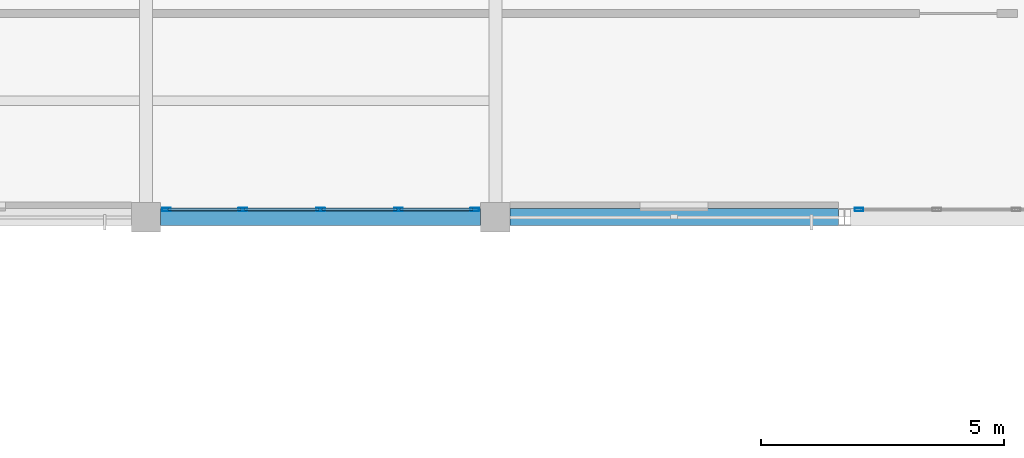
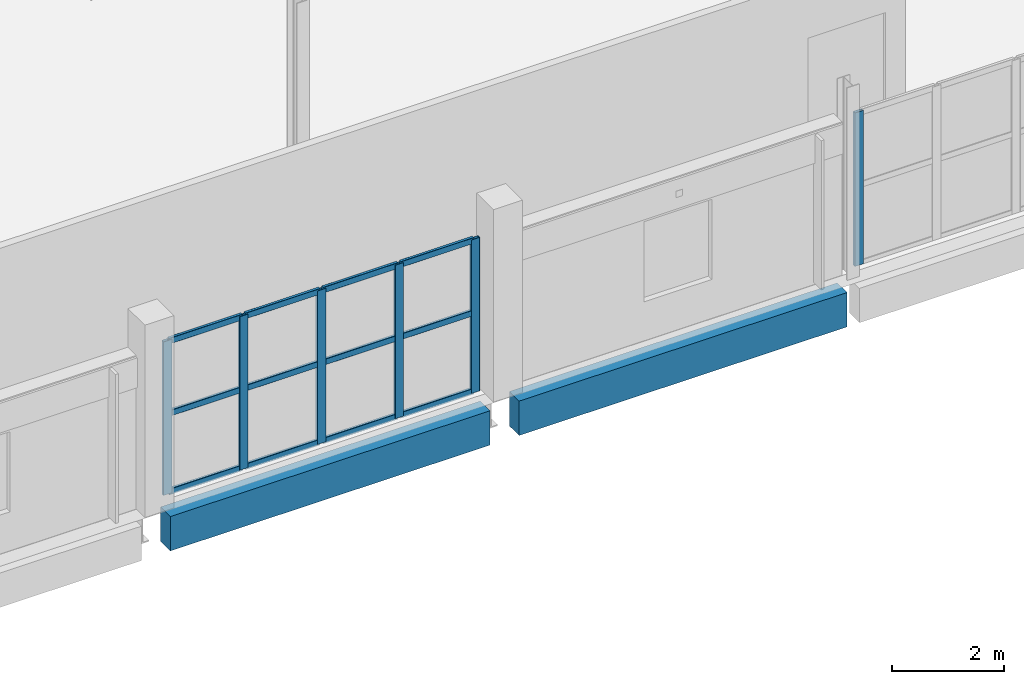
# One storey, part 42 of 94: 18 members, 2 beams, 2 elements without a shape of their own.
"""IFC4 building model written with IfcOpenShell, lengths in metres."""

from ifc_helpers import new_model, si_unit, direction, frame, origin, origin_2d, place, context, subcontext, project, spatial, rectangle, hollow_rectangle, extrude, material, material_profile, profile_set, type_object, element, aggregate, save


model = new_model("IFC4")

# Units and contexts
model_context = context("Model", 3, precision=1e-05, world=origin(), true_north=direction((0.0, 1.0)))
body_context = subcontext(model_context, "Body", "Model", "MODEL_VIEW")
ifc_project = project(units=[si_unit("LENGTHUNIT", "METRE"), si_unit("AREAUNIT", "SQUARE_METRE"), si_unit("VOLUMEUNIT", "CUBIC_METRE"), si_unit("PLANEANGLEUNIT", "RADIAN"), si_unit("MASSUNIT", "GRAM", prefix="KILO")], contexts=[model_context])

# Site, building, storey
site_placement = place(None, origin())
site = spatial("IfcSite", under=ifc_project, at=site_placement, CompositionType="ELEMENT")
building_placement = place(site_placement, origin())
building = spatial("IfcBuilding", under=site, at=building_placement, Name="Kalmorath City Hall", CompositionType="ELEMENT")
storey_placement = place(building_placement, frame((0.0, 0.0, 14.699951171875)))
storey = spatial("IfcBuildingStorey", under=building, at=storey_placement, Name="L03", CompositionType="ELEMENT", Elevation=14.699951171875)

# Curtain wall, member
ifc_material_1 = material(Name="Anodised aluminium and laminated glass", Category="aluminium")
curtain_wall_type_1 = type_object("IfcCurtainWallType", Name="Unitised hurricane curtain wall 6544x3352 M1750", PredefinedType="NOTDEFINED", material=ifc_material_1)
curtain_wall_1_placement = place(storey_placement, origin())
curtain_wall_1 = element("IfcCurtainWall", 1, at=curtain_wall_1_placement, inside=storey, type_object=curtain_wall_type_1, Name="L03 curtain wall CW-65X34M18 #149", PredefinedType="NOTDEFINED")
ifc_material_2 = material(Name="Anodised aluminium framing", Category="aluminium")
ifc_material_profile_1 = material_profile(ifc_material_2, hollow_rectangle(XDim=0.06494140625, YDim=0.179931640625, WallThickness=0.00390625, InnerFilletRadius=0.00390625, OuterFilletRadius=0.008056640625, at=origin_2d()), Name="ALU-MUL-180X65X4")
ifc_profile_set_1 = profile_set([ifc_material_profile_1], Name="Anodised aluminium framing")
member_type_1 = type_object("IfcMemberType", Name="Curtain-wall courtyard mullion 180x65", PredefinedType="MULLION", material=ifc_profile_set_1)
member_1_placement = place(storey_placement, frame((50.698974609375, 93.760009765625, 0.0), z_axis=(0.0, 0.0, 1.0), x_axis=(0.0, -1.0, 0.0)))
member_1 = element("IfcMember", 2, at=member_1_placement, type_object=member_type_1, Name="CW-65X34M18 mullion 5", PredefinedType="MULLION", context=body_context, shape_type="SweptSolid", body=[
    extrude(hollow_rectangle(XDim=0.06494140625, YDim=0.179931640625, WallThickness=0.00390625, InnerFilletRadius=0.00390625, OuterFilletRadius=0.008056640625, at=origin_2d()), origin(), (0.0, 0.0, 1.0), 3.35205078125),
])
aggregate(curtain_wall_1, [member_1])

# Curtain wall, members
ifc_material_3 = material(Name="Anodised aluminium and laminated glass", Category="aluminium")
curtain_wall_type_2 = type_object("IfcCurtainWallType", Name="Unitised hurricane curtain wall 6420x3352 M1750", PredefinedType="NOTDEFINED", material=ifc_material_3)
curtain_wall_2_placement = place(storey_placement, origin())
curtain_wall_2 = element("IfcCurtainWall", 3, at=curtain_wall_2_placement, inside=storey, type_object=curtain_wall_type_2, Name="L03 curtain wall CW-64X34M18 #150", PredefinedType="NOTDEFINED")
member_2_placement = place(storey_placement, frame((42.777587890625, 93.760009765625, 0.0), z_axis=(0.0, 0.0, 1.0), x_axis=(0.0, -1.0, 0.0)))
member_2 = element("IfcMember", 4, at=member_2_placement, type_object=member_type_1, Name="CW-64X34M18 mullion 1", PredefinedType="MULLION", context=body_context, shape_type="SweptSolid", body=[
    extrude(hollow_rectangle(XDim=0.06494140625, YDim=0.179931640625, WallThickness=0.00390625, InnerFilletRadius=0.00390625, OuterFilletRadius=0.008056640625, at=origin_2d()), origin(), (0.0, 0.0, 1.0), 3.35205078125),
])
member_3_placement = place(storey_placement, frame((41.205078125, 93.760009765625, 0.0), z_axis=(0.0, 0.0, 1.0), x_axis=(0.0, -1.0, 0.0)))
member_3 = element("IfcMember", 5, at=member_3_placement, type_object=member_type_1, Name="CW-64X34M18 mullion 2", PredefinedType="MULLION", context=body_context, shape_type="SweptSolid", body=[
    extrude(hollow_rectangle(XDim=0.06494140625, YDim=0.179931640625, WallThickness=0.00390625, InnerFilletRadius=0.00390625, OuterFilletRadius=0.008056640625, at=origin_2d()), origin(), (0.0, 0.0, 1.0), 3.35205078125),
])
member_4_placement = place(storey_placement, frame((39.60009765625, 93.760009765625, 0.0), z_axis=(0.0, 0.0, 1.0), x_axis=(0.0, -1.0, 0.0)))
member_4 = element("IfcMember", 6, at=member_4_placement, type_object=member_type_1, Name="CW-64X34M18 mullion 3", PredefinedType="MULLION", context=body_context, shape_type="SweptSolid", body=[
    extrude(hollow_rectangle(XDim=0.06494140625, YDim=0.179931640625, WallThickness=0.00390625, InnerFilletRadius=0.00390625, OuterFilletRadius=0.008056640625, at=origin_2d()), origin(), (0.0, 0.0, 1.0), 3.35205078125),
])
member_5_placement = place(storey_placement, frame((37.9951171875, 93.760009765625, 0.0), z_axis=(0.0, 0.0, 1.0), x_axis=(0.0, -1.0, 0.0)))
member_5 = element("IfcMember", 7, at=member_5_placement, type_object=member_type_1, Name="CW-64X34M18 mullion 4", PredefinedType="MULLION", context=body_context, shape_type="SweptSolid", body=[
    extrude(hollow_rectangle(XDim=0.06494140625, YDim=0.179931640625, WallThickness=0.00390625, InnerFilletRadius=0.00390625, OuterFilletRadius=0.008056640625, at=origin_2d()), origin(), (0.0, 0.0, 1.0), 3.35205078125),
])
member_6_placement = place(storey_placement, frame((36.422607421875, 93.760009765625, 0.0), z_axis=(0.0, 0.0, 1.0), x_axis=(0.0, -1.0, 0.0)))
member_6 = element("IfcMember", 8, at=member_6_placement, type_object=member_type_1, Name="CW-64X34M18 mullion 5", PredefinedType="MULLION", context=body_context, shape_type="SweptSolid", body=[
    extrude(hollow_rectangle(XDim=0.06494140625, YDim=0.179931640625, WallThickness=0.00390625, InnerFilletRadius=0.00390625, OuterFilletRadius=0.008056640625, at=origin_2d()), origin(), (0.0, 0.0, 1.0), 3.35205078125),
])
ifc_material_4 = material(Name="Anodised aluminium framing", Category="aluminium")
ifc_material_profile_2 = material_profile(ifc_material_4, hollow_rectangle(XDim=0.06005859375, YDim=0.1298828125, WallThickness=0.00341796875, InnerFilletRadius=0.00341796875, OuterFilletRadius=0.007080078125, at=origin_2d()), Name="ALU-TRN-130X60X3.5")
ifc_profile_set_2 = profile_set([ifc_material_profile_2], Name="Anodised aluminium framing")
member_type_2 = type_object("IfcMemberType", Name="Curtain-wall courtyard transom 130x60", PredefinedType="USERDEFINED", material=ifc_profile_set_2)
member_7_placement = place(storey_placement, frame((42.7451171875, 93.760009765625, 0.030029296875), z_axis=(-1.0, 0.0, 0.0), x_axis=(0.0, -1.0, 0.0)))
member_7 = element("IfcMember", 9, at=member_7_placement, type_object=member_type_2, Name="CW-64X34M18 transom 1.1", ObjectType="TRANSOM", PredefinedType="USERDEFINED", context=body_context, shape_type="SweptSolid", body=[
    extrude(hollow_rectangle(XDim=0.06005859375, YDim=0.1298828125, WallThickness=0.00341796875, InnerFilletRadius=0.00341796875, OuterFilletRadius=0.007080078125, at=origin_2d()), origin(), (0.0, 0.0, 1.0), 1.507568359375),
])
member_8_placement = place(storey_placement, frame((42.7451171875, 93.760009765625, 1.7431640625), z_axis=(-1.0, 0.0, 0.0), x_axis=(0.0, -1.0, 0.0)))
member_8 = element("IfcMember", 10, at=member_8_placement, type_object=member_type_2, Name="CW-64X34M18 transom 1.2", ObjectType="TRANSOM", PredefinedType="USERDEFINED", context=body_context, shape_type="SweptSolid", body=[
    extrude(hollow_rectangle(XDim=0.06005859375, YDim=0.1298828125, WallThickness=0.00341796875, InnerFilletRadius=0.00341796875, OuterFilletRadius=0.007080078125, at=origin_2d()), origin(), (0.0, 0.0, 1.0), 1.507568359375),
])
member_9_placement = place(storey_placement, frame((42.7451171875, 93.760009765625, 3.322021484375), z_axis=(-1.0, 0.0, 0.0), x_axis=(0.0, -1.0, 0.0)))
member_9 = element("IfcMember", 11, at=member_9_placement, type_object=member_type_2, Name="CW-64X34M18 transom 1.3", ObjectType="TRANSOM", PredefinedType="USERDEFINED", context=body_context, shape_type="SweptSolid", body=[
    extrude(hollow_rectangle(XDim=0.06005859375, YDim=0.1298828125, WallThickness=0.00341796875, InnerFilletRadius=0.00341796875, OuterFilletRadius=0.007080078125, at=origin_2d()), origin(), (0.0, 0.0, 1.0), 1.507568359375),
])
member_10_placement = place(storey_placement, frame((41.172607421875, 93.760009765625, 0.030029296875), z_axis=(-1.0, 0.0, 0.0), x_axis=(0.0, -1.0, 0.0)))
member_10 = element("IfcMember", 12, at=member_10_placement, type_object=member_type_2, Name="CW-64X34M18 transom 2.1", ObjectType="TRANSOM", PredefinedType="USERDEFINED", context=body_context, shape_type="SweptSolid", body=[
    extrude(hollow_rectangle(XDim=0.06005859375, YDim=0.1298828125, WallThickness=0.00341796875, InnerFilletRadius=0.00341796875, OuterFilletRadius=0.007080078125, at=origin_2d()), origin(), (0.0, 0.0, 1.0), 1.5400390625),
])
member_11_placement = place(storey_placement, frame((41.172607421875, 93.760009765625, 1.7431640625), z_axis=(-1.0, 0.0, 0.0), x_axis=(0.0, -1.0, 0.0)))
member_11 = element("IfcMember", 13, at=member_11_placement, type_object=member_type_2, Name="CW-64X34M18 transom 2.2", ObjectType="TRANSOM", PredefinedType="USERDEFINED", context=body_context, shape_type="SweptSolid", body=[
    extrude(hollow_rectangle(XDim=0.06005859375, YDim=0.1298828125, WallThickness=0.00341796875, InnerFilletRadius=0.00341796875, OuterFilletRadius=0.007080078125, at=origin_2d()), origin(), (0.0, 0.0, 1.0), 1.5400390625),
])
member_12_placement = place(storey_placement, frame((41.172607421875, 93.760009765625, 3.322021484375), z_axis=(-1.0, 0.0, 0.0), x_axis=(0.0, -1.0, 0.0)))
member_12 = element("IfcMember", 14, at=member_12_placement, type_object=member_type_2, Name="CW-64X34M18 transom 2.3", ObjectType="TRANSOM", PredefinedType="USERDEFINED", context=body_context, shape_type="SweptSolid", body=[
    extrude(hollow_rectangle(XDim=0.06005859375, YDim=0.1298828125, WallThickness=0.00341796875, InnerFilletRadius=0.00341796875, OuterFilletRadius=0.007080078125, at=origin_2d()), origin(), (0.0, 0.0, 1.0), 1.5400390625),
])
member_13_placement = place(storey_placement, frame((39.5673828125, 93.760009765625, 0.030029296875), z_axis=(-1.0, 0.0, 0.0), x_axis=(0.0, -1.0, 0.0)))
member_13 = element("IfcMember", 15, at=member_13_placement, type_object=member_type_2, Name="CW-64X34M18 transom 3.1", ObjectType="TRANSOM", PredefinedType="USERDEFINED", context=body_context, shape_type="SweptSolid", body=[
    extrude(hollow_rectangle(XDim=0.06005859375, YDim=0.1298828125, WallThickness=0.00341796875, InnerFilletRadius=0.00341796875, OuterFilletRadius=0.007080078125, at=origin_2d()), origin(), (0.0, 0.0, 1.0), 1.539794921875),
])
member_14_placement = place(storey_placement, frame((39.5673828125, 93.760009765625, 1.7431640625), z_axis=(-1.0, 0.0, 0.0), x_axis=(0.0, -1.0, 0.0)))
member_14 = element("IfcMember", 16, at=member_14_placement, type_object=member_type_2, Name="CW-64X34M18 transom 3.2", ObjectType="TRANSOM", PredefinedType="USERDEFINED", context=body_context, shape_type="SweptSolid", body=[
    extrude(hollow_rectangle(XDim=0.06005859375, YDim=0.1298828125, WallThickness=0.00341796875, InnerFilletRadius=0.00341796875, OuterFilletRadius=0.007080078125, at=origin_2d()), origin(), (0.0, 0.0, 1.0), 1.539794921875),
])
member_15_placement = place(storey_placement, frame((39.5673828125, 93.760009765625, 3.322021484375), z_axis=(-1.0, 0.0, 0.0), x_axis=(0.0, -1.0, 0.0)))
member_15 = element("IfcMember", 17, at=member_15_placement, type_object=member_type_2, Name="CW-64X34M18 transom 3.3", ObjectType="TRANSOM", PredefinedType="USERDEFINED", context=body_context, shape_type="SweptSolid", body=[
    extrude(hollow_rectangle(XDim=0.06005859375, YDim=0.1298828125, WallThickness=0.00341796875, InnerFilletRadius=0.00341796875, OuterFilletRadius=0.007080078125, at=origin_2d()), origin(), (0.0, 0.0, 1.0), 1.539794921875),
])
member_16_placement = place(storey_placement, frame((37.96240234375, 93.760009765625, 0.030029296875), z_axis=(-1.0, 0.0, 0.0), x_axis=(0.0, -1.0, 0.0)))
member_16 = element("IfcMember", 18, at=member_16_placement, type_object=member_type_2, Name="CW-64X34M18 transom 4.1", ObjectType="TRANSOM", PredefinedType="USERDEFINED", context=body_context, shape_type="SweptSolid", body=[
    extrude(hollow_rectangle(XDim=0.06005859375, YDim=0.1298828125, WallThickness=0.00341796875, InnerFilletRadius=0.00341796875, OuterFilletRadius=0.007080078125, at=origin_2d()), origin(), (0.0, 0.0, 1.0), 1.50732421875),
])
member_17_placement = place(storey_placement, frame((37.96240234375, 93.760009765625, 1.7431640625), z_axis=(-1.0, 0.0, 0.0), x_axis=(0.0, -1.0, 0.0)))
member_17 = element("IfcMember", 19, at=member_17_placement, type_object=member_type_2, Name="CW-64X34M18 transom 4.2", ObjectType="TRANSOM", PredefinedType="USERDEFINED", context=body_context, shape_type="SweptSolid", body=[
    extrude(hollow_rectangle(XDim=0.06005859375, YDim=0.1298828125, WallThickness=0.00341796875, InnerFilletRadius=0.00341796875, OuterFilletRadius=0.007080078125, at=origin_2d()), origin(), (0.0, 0.0, 1.0), 1.50732421875),
])
member_18_placement = place(storey_placement, frame((37.96240234375, 93.760009765625, 3.322021484375), z_axis=(-1.0, 0.0, 0.0), x_axis=(0.0, -1.0, 0.0)))
member_18 = element("IfcMember", 20, at=member_18_placement, type_object=member_type_2, Name="CW-64X34M18 transom 4.3", ObjectType="TRANSOM", PredefinedType="USERDEFINED", context=body_context, shape_type="SweptSolid", body=[
    extrude(hollow_rectangle(XDim=0.06005859375, YDim=0.1298828125, WallThickness=0.00341796875, InnerFilletRadius=0.00341796875, OuterFilletRadius=0.007080078125, at=origin_2d()), origin(), (0.0, 0.0, 1.0), 1.50732421875),
])
aggregate(curtain_wall_2, [member_2, member_3, member_4, member_5, member_6, member_7, member_8, member_9, member_10, member_11, member_12, member_13, member_14, member_15, member_16, member_17, member_18])

# Beams
ifc_material_5 = material(Name="Precast concrete C40/50", Category="concrete")
ifc_material_profile_3 = material_profile(ifc_material_5, rectangle(XDim=0.35009765625, YDim=0.75, at=origin_2d()), Name="PC-SP-350X750")
ifc_profile_set_3 = profile_set([ifc_material_profile_3], Name="Precast concrete C40/50")
beam_type = type_object("IfcBeamType", Name="Precast spandrel lintel 350x750", PredefinedType="LINTEL", material=ifc_profile_set_3)
beam_1_placement = place(storey_placement, frame((36.300048828125, 93.60009765625, -0.638916015625), z_axis=(1.0, 0.0, 0.0), x_axis=(0.0, 1.0, 0.0)))
element("IfcBeam", 21, at=beam_1_placement, inside=storey, type_object=beam_type, Name="L03 girder PSB1 X6-7/14", PredefinedType="LINTEL", context=body_context, shape_type="SweptSolid", body=[
    extrude(rectangle(XDim=0.35009765625, YDim=0.75, at=origin_2d()), origin(), (0.0, 0.0, 1.0), 6.599853515625),
])
beam_2_placement = place(storey_placement, frame((43.5, 93.60009765625, -0.638916015625), z_axis=(1.0, 0.0, 0.0), x_axis=(0.0, 1.0, 0.0)))
element("IfcBeam", 22, at=beam_2_placement, inside=storey, type_object=beam_type, Name="L03 girder PSB1 X7-8/14", PredefinedType="LINTEL", context=body_context, shape_type="SweptSolid", body=[
    extrude(rectangle(XDim=0.35009765625, YDim=0.75, at=origin_2d()), origin(), (0.0, 0.0, 1.0), 6.77294921875),
])

save(model, "model.ifc")
